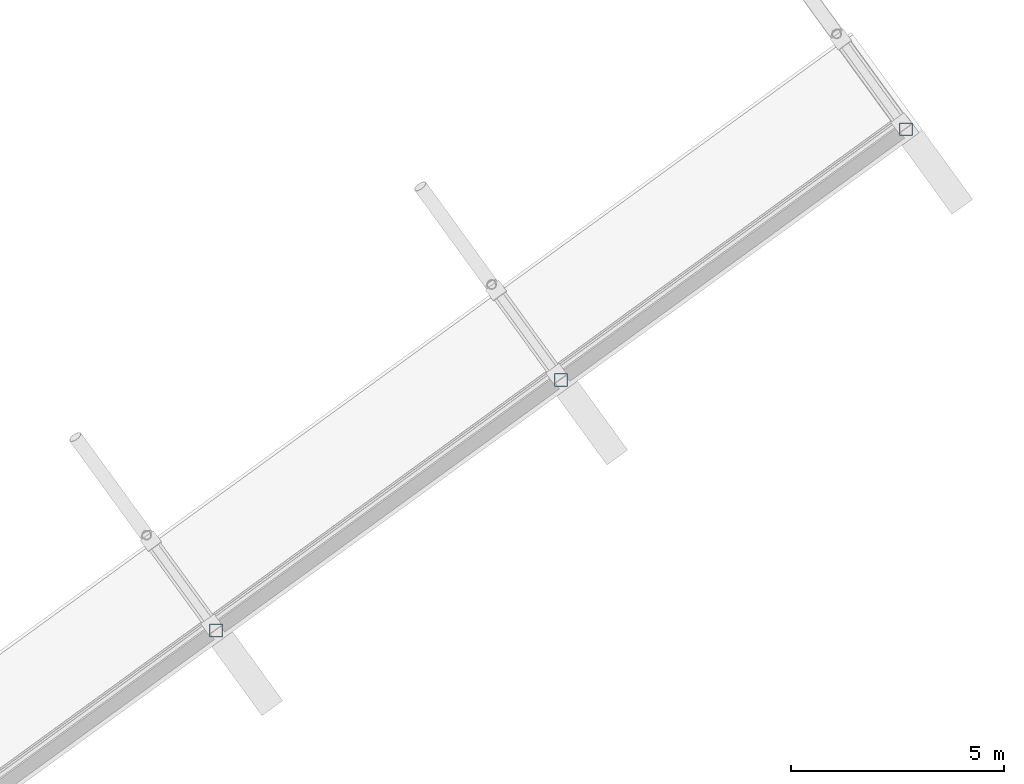
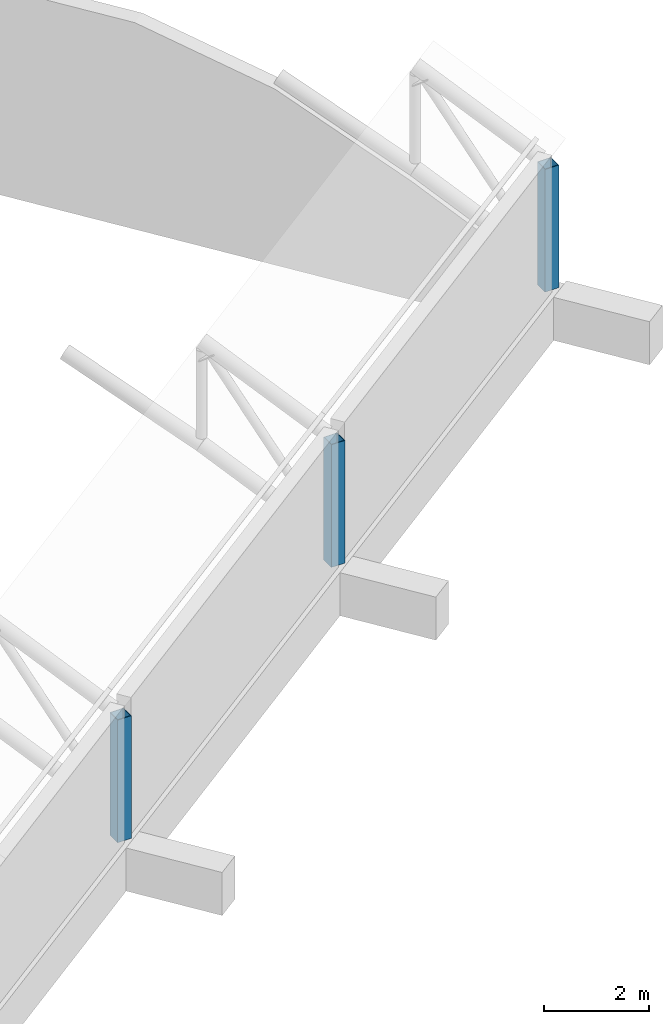
# One storey, part 25 of 196: 3 columns.
"""IFC4 building model written with IfcOpenShell, lengths in metres."""

from ifc_helpers import new_model, si_unit, direction, frame, origin, origin_2d, place, context, subcontext, project, spatial, hollow_rectangle, extrude, material, material_profile, profile_set, type_object, element, save


model = new_model("IFC4")

# Units and contexts
model_context = context("Model", 3, precision=1e-05, world=origin(), true_north=direction((0.0, 1.0)))
body_context = subcontext(model_context, "Body", "Model", "MODEL_VIEW")
ifc_project = project(units=[si_unit("LENGTHUNIT", "METRE"), si_unit("AREAUNIT", "SQUARE_METRE"), si_unit("VOLUMEUNIT", "CUBIC_METRE"), si_unit("PLANEANGLEUNIT", "RADIAN"), si_unit("MASSUNIT", "GRAM", prefix="KILO")], contexts=[model_context])

# Site, building, storey
site_placement = place(None, origin())
site = spatial("IfcSite", under=ifc_project, at=site_placement, CompositionType="ELEMENT")
building_placement = place(site_placement, origin())
building = spatial("IfcBuilding", under=site, at=building_placement, Name="Okhra Congress Centre", CompositionType="ELEMENT")
storey_placement = place(building_placement, frame((0.0, 0.0, 12.0)))
storey = spatial("IfcBuildingStorey", under=building, at=storey_placement, Name="L02", CompositionType="ELEMENT", Elevation=12.0)

# Columns
ifc_material = material(Name="Steel S355J2H", Category="steel")
ifc_material_profile = material_profile(ifc_material, hollow_rectangle(XDim=0.300048828125, YDim=0.300048828125, WallThickness=0.012451171875, at=origin_2d()), Name="RHS 300x300x12.5")
ifc_profile_set = profile_set([ifc_material_profile], Name="Steel S355J2H")
column_type = type_object("IfcColumnType", Name="RHS 300x300x12.5", PredefinedType="COLUMN", material=ifc_profile_set)
for number, where, z_axis, x_axis, name in (
    (1, (262.171142578125, 179.620361328125, 1.0), (0.0, 0.0, 1.0), (1.0, 0.0, 0.0), "Truss 5 end post S"),
    (2, (270.26123046875, 185.498046875, 1.0), (0.0, 0.0, 1.0), (1.0, 0.0, 0.0), "Truss 6 end post S"),
    (3, (278.3515625, 191.3759765625, 1.0), (0.0, 0.0, 1.0), (1.0, 0.0, 0.0), "Truss 7 end post S"),
):
    element("IfcColumn", number, at=place(storey_placement, frame(where, z_axis=z_axis, x_axis=x_axis)), inside=storey, type_object=column_type, Name=name, PredefinedType="COLUMN", context=body_context, shape_type="SweptSolid", body=[
        extrude(hollow_rectangle(XDim=0.300048828125, YDim=0.300048828125, WallThickness=0.012451171875, at=origin_2d()), origin(), (0.0, 0.0, 1.0), 2.85009765625),
    ])

save(model, "model.ifc")
